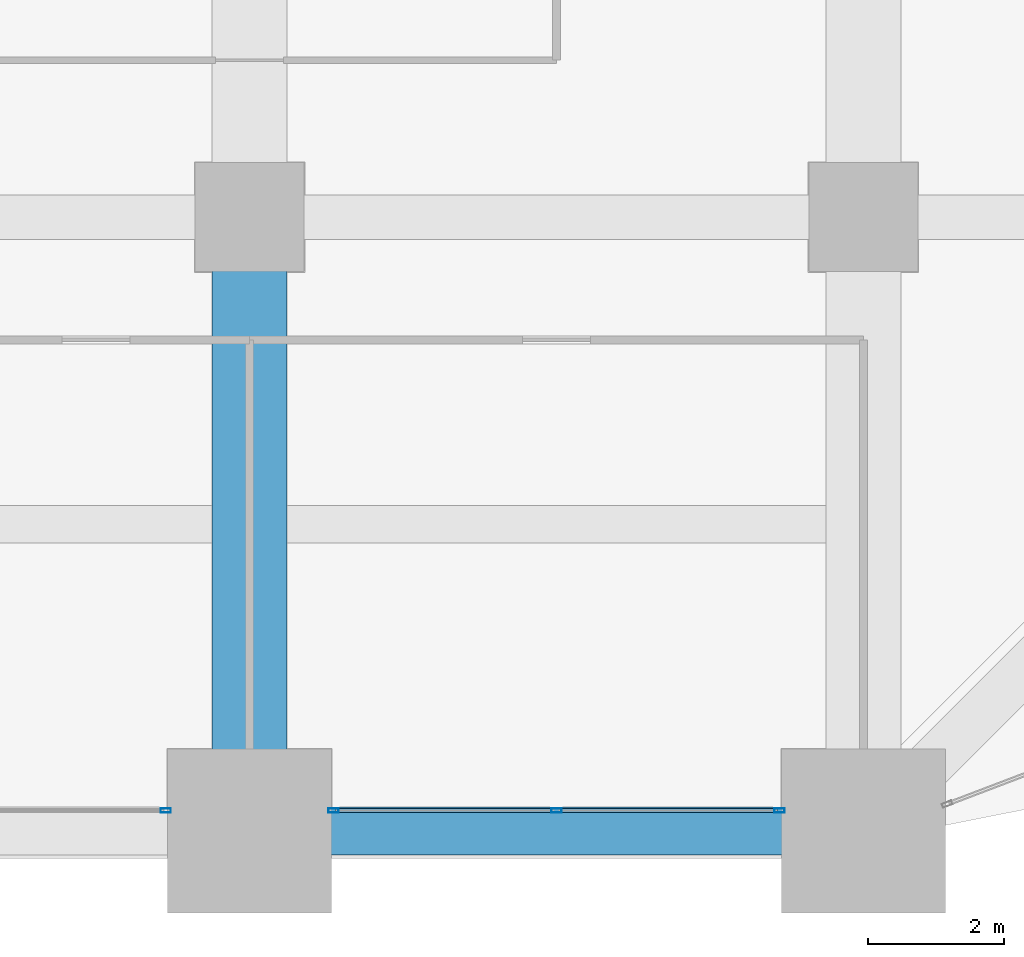
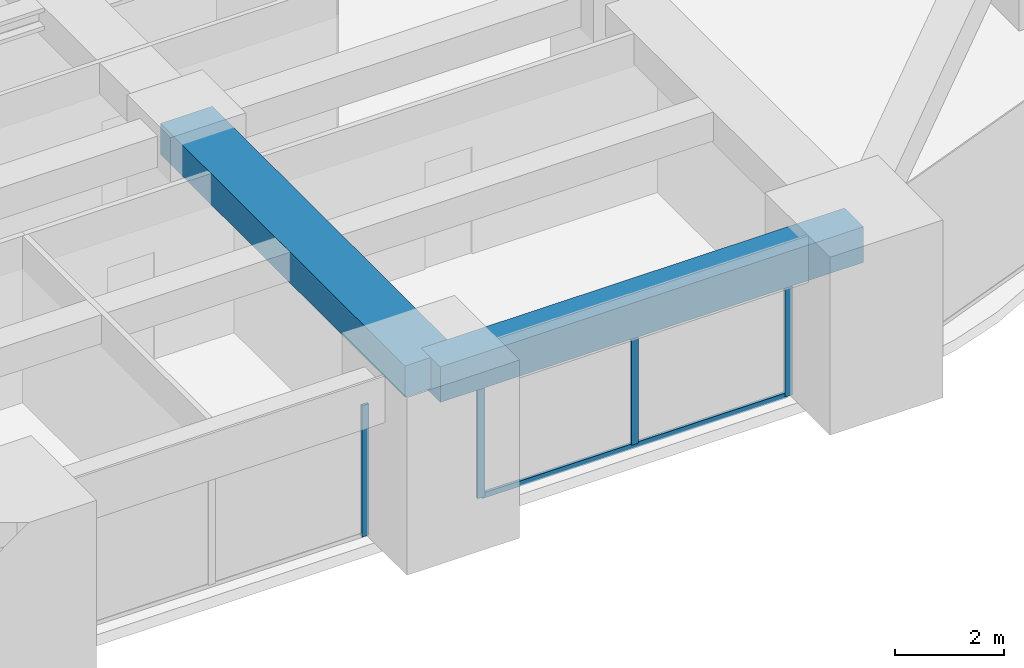
# One storey, part 13 of 34: 5 members, 2 beams, 2 elements without a shape of their own.
"""IFC4 building model written with IfcOpenShell, lengths in metres."""

from ifc_helpers import new_model, si_unit, direction, frame, origin, origin_2d, place, context, subcontext, project, spatial, rectangle, hollow_rectangle, extrude, material, material_profile, profile_set, type_object, element, aggregate, save


model = new_model("IFC4")

# Units and contexts
model_context = context("Model", 3, precision=1e-05, world=origin(), true_north=direction((0.0, 1.0)))
body_context = subcontext(model_context, "Body", "Model", "MODEL_VIEW")
ifc_project = project(units=[si_unit("LENGTHUNIT", "METRE"), si_unit("AREAUNIT", "SQUARE_METRE"), si_unit("VOLUMEUNIT", "CUBIC_METRE"), si_unit("PLANEANGLEUNIT", "RADIAN"), si_unit("MASSUNIT", "GRAM", prefix="KILO")], contexts=[model_context])

# Site, building, storey
site_placement = place(None, origin())
site = spatial("IfcSite", under=ifc_project, at=site_placement, CompositionType="ELEMENT")
building_placement = place(site_placement, origin())
building = spatial("IfcBuilding", under=site, at=building_placement, Name="Zorevar Civic Tower", CompositionType="ELEMENT")
storey_placement = place(building_placement, frame((0.0, 0.0, 170.199951171875)))
storey = spatial("IfcBuildingStorey", under=building, at=storey_placement, Name="L41", CompositionType="ELEMENT", Elevation=170.199951171875)

# Beam
ifc_material_1 = material(Name="Concrete C50/60", Category="concrete")
ifc_material_profile_1 = material_profile(ifc_material_1, rectangle(XDim=1.10009765625, YDim=0.699951171875, at=origin_2d()), Name="RC 1100x700")
ifc_profile_set_1 = profile_set([ifc_material_profile_1], Name="Concrete C50/60")
beam_type_1 = type_object("IfcBeamType", Name="Beam RC 1100x700", PredefinedType="BEAM", material=ifc_profile_set_1)
beam_1_placement = place(storey_placement, frame((36.0, 0.0, 3.400146484375), z_axis=(0.0, 1.0, 0.0), x_axis=(-1.0, 0.0, 0.0)))
element("IfcBeam", 1, at=beam_1_placement, inside=storey, type_object=beam_type_1, Name="Girder L42", PredefinedType="BEAM", context=body_context, shape_type="SweptSolid", body=[
    extrude(rectangle(XDim=1.10009765625, YDim=0.699951171875, at=origin_2d()), origin(), (0.0, 0.0, 1.0), 9.0),
])

# Curtain wall, member
ifc_material_2 = material(Name="Dark grey solar-control glass in black aluminium frame", Category="aluminium")
curtain_wall_type = type_object("IfcCurtainWallType", Name="Curtain wall CW4 high zone", PredefinedType="NOTDEFINED", material=ifc_material_2)
curtain_wall_1_placement = place(storey_placement, origin())
curtain_wall_1 = element("IfcCurtainWall", 2, at=curtain_wall_1_placement, inside=storey, type_object=curtain_wall_type, Name="CW4 L41", PredefinedType="NOTDEFINED")
ifc_material_3 = material(Name="Aluminium, black anodised", Category="aluminium")
ifc_material_profile_2 = material_profile(ifc_material_3, hollow_rectangle(XDim=0.06005859375, YDim=0.14990234375, WallThickness=0.00390625, at=origin_2d()), Name="AL 150x60x4")
ifc_profile_set_2 = profile_set([ifc_material_profile_2], Name="Aluminium, black anodised")
member_type_1 = type_object("IfcMemberType", Name="CW4 mullion AL 150x60x4", PredefinedType="MULLION", material=ifc_profile_set_2)
member_1_placement = place(storey_placement, frame((34.77001953125, 0.300048828125, 0.0), z_axis=(0.0, 0.0, 1.0), x_axis=(0.0, 1.0, 0.0)))
member_1 = element("IfcMember", 3, at=member_1_placement, type_object=member_type_1, Name="CW4 mullion 3", PredefinedType="MULLION", context=body_context, shape_type="SweptSolid", body=[
    extrude(hollow_rectangle(XDim=0.06005859375, YDim=0.14990234375, WallThickness=0.00390625, at=origin_2d()), origin(), (0.0, 0.0, 1.0), 2.949951171875),
])
aggregate(curtain_wall_1, [member_1])

# Curtain wall, members
curtain_wall_2_placement = place(storey_placement, origin())
curtain_wall_2 = element("IfcCurtainWall", 4, at=curtain_wall_2_placement, inside=storey, type_object=curtain_wall_type, Name="CW4 L41", PredefinedType="NOTDEFINED")
member_2_placement = place(storey_placement, frame((37.22998046875, 0.300048828125, 0.0), z_axis=(0.0, 0.0, 1.0), x_axis=(0.0, 1.0, 0.0)))
member_2 = element("IfcMember", 5, at=member_2_placement, type_object=member_type_1, Name="CW4 mullion 1", PredefinedType="MULLION", context=body_context, shape_type="SweptSolid", body=[
    extrude(hollow_rectangle(XDim=0.06005859375, YDim=0.14990234375, WallThickness=0.00390625, at=origin_2d()), origin(), (0.0, 0.0, 1.0), 2.949951171875),
])
member_3_placement = place(storey_placement, frame((40.5, 0.300048828125, 0.06005859375), z_axis=(0.0, 0.0, 1.0), x_axis=(0.0, 1.0, 0.0)))
member_3 = element("IfcMember", 6, at=member_3_placement, type_object=member_type_1, Name="CW4 mullion 2", PredefinedType="MULLION", context=body_context, shape_type="SweptSolid", body=[
    extrude(hollow_rectangle(XDim=0.06005859375, YDim=0.14990234375, WallThickness=0.00390625, at=origin_2d()), origin(), (0.0, 0.0, 1.0), 2.889892578125),
])
member_4_placement = place(storey_placement, frame((43.77001953125, 0.300048828125, 0.0), z_axis=(0.0, 0.0, 1.0), x_axis=(0.0, 1.0, 0.0)))
member_4 = element("IfcMember", 7, at=member_4_placement, type_object=member_type_1, Name="CW4 mullion 3", PredefinedType="MULLION", context=body_context, shape_type="SweptSolid", body=[
    extrude(hollow_rectangle(XDim=0.06005859375, YDim=0.14990234375, WallThickness=0.00390625, at=origin_2d()), origin(), (0.0, 0.0, 1.0), 2.949951171875),
])
ifc_material_4 = material(Name="Aluminium, black anodised", Category="aluminium")
ifc_material_profile_3 = material_profile(ifc_material_4, hollow_rectangle(XDim=0.06005859375, YDim=0.1201171875, WallThickness=0.0029296875, at=origin_2d()), Name="AL 120x60x3")
ifc_profile_set_3 = profile_set([ifc_material_profile_3], Name="Aluminium, black anodised")
member_type_2 = type_object("IfcMemberType", Name="CW4 transom AL 120x60x3", PredefinedType="USERDEFINED", material=ifc_profile_set_3)
member_5_placement = place(storey_placement, frame((37.260009765625, 0.300048828125, 0.030029296875), z_axis=(1.0, 0.0, 0.0), x_axis=(0.0, 1.0, 0.0)))
member_5 = element("IfcMember", 8, at=member_5_placement, type_object=member_type_2, Name="CW4 sill transom", ObjectType="TRANSOM", PredefinedType="USERDEFINED", context=body_context, shape_type="SweptSolid", body=[
    extrude(hollow_rectangle(XDim=0.06005859375, YDim=0.1201171875, WallThickness=0.0029296875, at=origin_2d()), origin(), (0.0, 0.0, 1.0), 6.47998046875),
])
aggregate(curtain_wall_2, [member_2, member_3, member_4, member_5])

# Beam
ifc_material_5 = material(Name="Concrete C50/60", Category="concrete")
ifc_material_profile_4 = material_profile(ifc_material_5, rectangle(XDim=0.699951171875, YDim=0.800048828125, at=origin_2d()), Name="RC 700x800")
ifc_profile_set_4 = profile_set([ifc_material_profile_4], Name="Concrete C50/60")
beam_type_2 = type_object("IfcBeamType", Name="Edge beam RC 700x800", PredefinedType="SPANDREL", material=ifc_profile_set_4)
beam_2_placement = place(storey_placement, frame((36.0, 0.0, 3.35009765625), z_axis=(1.0, 0.0, 0.0), x_axis=(0.0, 1.0, 0.0)))
element("IfcBeam", 9, at=beam_2_placement, inside=storey, type_object=beam_type_2, Name="Edge beam L42", PredefinedType="SPANDREL", context=body_context, shape_type="SweptSolid", body=[
    extrude(rectangle(XDim=0.699951171875, YDim=0.800048828125, at=origin_2d()), origin(), (0.0, 0.0, 1.0), 9.0),
])

save(model, "model.ifc")
